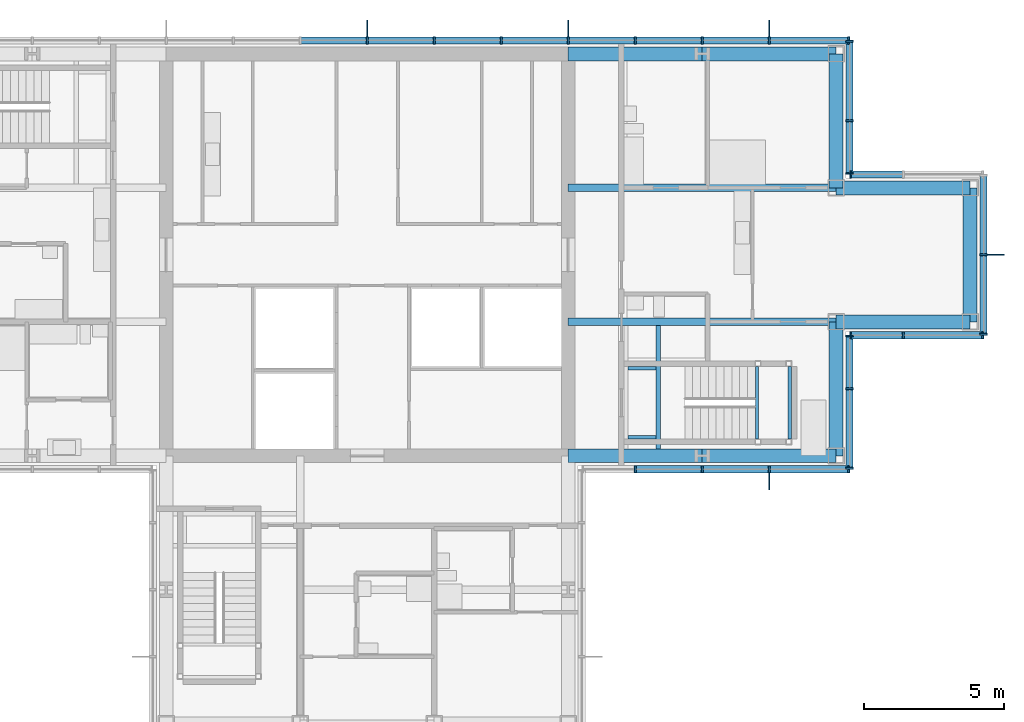
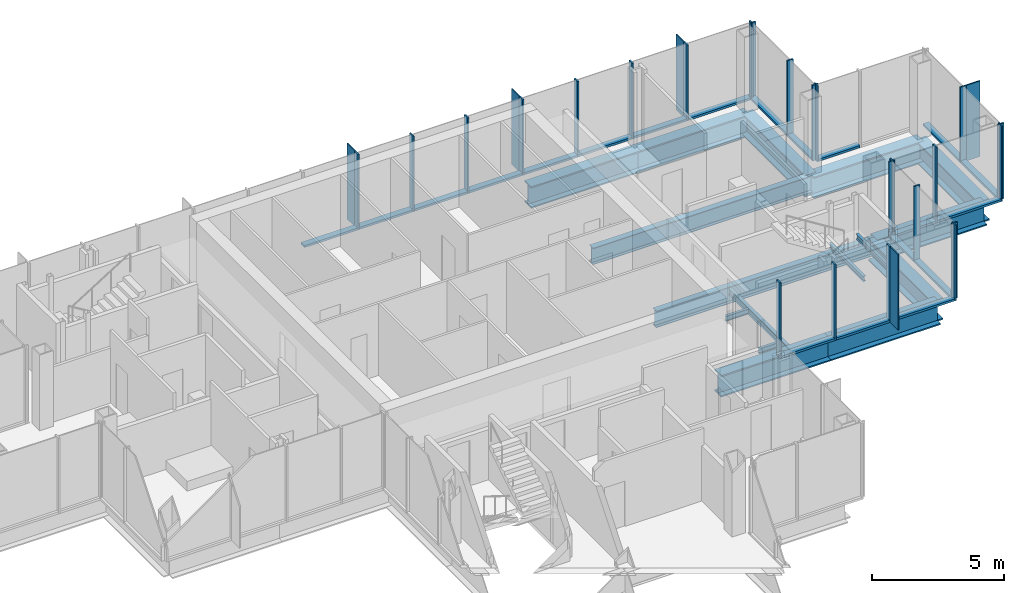
# One storey, part 7 of 15: 49 members, 16 beams, 7 elements without a shape of their own.
"""IFC4 building model written with IfcOpenShell, lengths in metres."""

import ifcopenshell
import ifcopenshell.guid

model = None  # the IFC model being written
_history = None  # IfcOwnerHistory: only IFC2X3 demands one
_inside = {}  # id of a spatial element -> (the spatial element, [elements in it])
_under = {}  # id of a project, library or spatial element -> (it, [spatial elements below it])
_declared = {}  # id of a project -> (the project, [libraries it declares])
_typed = {}  # id of a type object -> (the type object, [elements of that type])
_made_of = {}  # id of a material, layer set ... -> (it, [elements and type objects made of it])


def new_model(schema):
    """Start an empty IFC model of exactly this schema.

    Asked for "IFC4X3", IfcOpenShell would pick the latest addendum, in which some entities
    have other attributes; the version numbers below select the first issue.
    IFC2X3 requires an IfcOwnerHistory on every rooted entity: one is made here for all.
    """
    global model, _history
    if schema == "IFC4X3":
        model = ifcopenshell.file(schema_version=(4, 3, 0, 0))
    else:
        model = ifcopenshell.file(schema=schema)
    _inside.clear()
    _under.clear()
    _declared.clear()
    _typed.clear()
    _made_of.clear()
    _history = None
    if model.schema == "IFC2X3":
        org = make("IfcOrganization", Name="unknown")
        user = make(
            "IfcPersonAndOrganization",
            ThePerson=make("IfcPerson", FamilyName="unknown"),
            TheOrganization=org,
        )
        app = make(
            "IfcApplication",
            ApplicationDeveloper=org,
            Version="unknown",
            ApplicationFullName="unknown",
            ApplicationIdentifier="unknown",
        )
        _history = make(
            "IfcOwnerHistory",
            OwningUser=user,
            OwningApplication=app,
            ChangeAction="ADDED",
            CreationDate=0,
        )
    return model


def make(cls, **values):
    """One entity of the class cls with the attributes given. An attribute that is None is left unset."""
    return model.create_entity(
        cls, **{name: value for name, value in values.items() if value is not None}
    )


def rooted(cls, **values):
    """An entity with a GlobalId (a new one), such as an element, a storey or a relation."""
    return make(cls, GlobalId=ifcopenshell.guid.new(), OwnerHistory=_history, **values)


def si_unit(unit_type, name, prefix=None):
    """IfcSIUnit, for example si_unit("LENGTHUNIT", "METRE", prefix="MILLI")."""
    return make("IfcSIUnit", UnitType=unit_type, Prefix=prefix, Name=name)


def assignment(units):
    """IfcUnitAssignment: the units of a project."""
    return None if units is None else make("IfcUnitAssignment", Units=units)


def point(xyz):
    """IfcCartesianPoint."""
    return None if xyz is None else make("IfcCartesianPoint", Coordinates=xyz)


def direction(xyz):
    """IfcDirection."""
    return None if xyz is None else make("IfcDirection", DirectionRatios=xyz)


def frame(location, z_axis=None, x_axis=None):
    """IfcAxis2Placement3D, a coordinate frame: its origin and axes. An axis left out is left unset."""
    return make(
        "IfcAxis2Placement3D",
        Location=point(location),
        Axis=direction(z_axis),
        RefDirection=direction(x_axis),
    )


def frame_2d(location, x_axis=None):
    """IfcAxis2Placement2D, a coordinate frame in the plane: its origin and x axis."""
    return make(
        "IfcAxis2Placement2D", Location=point(location), RefDirection=direction(x_axis)
    )


def origin():
    """The frame at (0, 0, 0) with its axes left unset."""
    return frame((0.0, 0.0, 0.0))


def origin_2d():
    """The frame at (0, 0) in the plane with its x axis left unset."""
    return frame_2d((0.0, 0.0))


def place(relative_to, where):
    """IfcLocalPlacement: puts the frame where relative to a parent placement (None: the world)."""
    return make(
        "IfcLocalPlacement", PlacementRelTo=relative_to, RelativePlacement=where
    )


def context(
    kind, dimensions, precision=None, world=None, true_north=None, identifier=None
):
    """IfcGeometricRepresentationContext, for example the 3D "Model" context."""
    return make(
        "IfcGeometricRepresentationContext",
        ContextIdentifier=identifier,
        ContextType=kind,
        CoordinateSpaceDimension=dimensions,
        Precision=precision,
        WorldCoordinateSystem=world,
        TrueNorth=true_north,
    )


def subcontext(parent, identifier, kind, view, scale=None):
    """IfcGeometricRepresentationSubContext, for example "Body" below "Model"."""
    return make(
        "IfcGeometricRepresentationSubContext",
        ContextIdentifier=identifier,
        ContextType=kind,
        ParentContext=parent,
        TargetScale=scale,
        TargetView=view,
    )


def project(units=None, contexts=None):
    """IfcProject with its units and contexts."""
    return rooted(
        "IfcProject",
        Name="project",
        RepresentationContexts=contexts,
        UnitsInContext=assignment(units),
    )


def spatial(cls, under=None, at=None, **own):
    """A site, building, storey or space (cls), placed at a placement, below another one or the project."""
    s = rooted(cls, ObjectPlacement=at, **own)
    if under is not None:
        _under.setdefault(under.id(), (under, []))[1].append(s)
    return s


def profile(cls, at=None, kind="AREA", **sizes):
    """A parametric profile (cls). Its sizes go by their IFC names, for example OverallWidth=200.0."""
    return make(cls, ProfileType=kind, Position=at, **sizes)


def rectangle(**sizes):
    """IfcRectangleProfileDef."""
    return profile("IfcRectangleProfileDef", **sizes)


def i_section(**sizes):
    """IfcIShapeProfileDef."""
    return profile("IfcIShapeProfileDef", **sizes)


def extrude(swept, where, along, depth):
    """IfcExtrudedAreaSolid: the profile swept, set in the frame where, extruded along a direction by depth."""
    return make(
        "IfcExtrudedAreaSolid",
        SweptArea=swept,
        Position=where,
        ExtrudedDirection=direction(along),
        Depth=depth,
    )


def shape(context_of_items, identifier, shape_type, items):
    """IfcShapeRepresentation: the items that make up one representation, for example the "Body"."""
    return make(
        "IfcShapeRepresentation",
        ContextOfItems=context_of_items,
        RepresentationIdentifier=identifier,
        RepresentationType=shape_type,
        Items=items,
    )


def material(Name=None, Category=None):
    """IfcMaterial."""
    return make("IfcMaterial", Name=Name, Category=Category)


def material_profile(
    of_material, cross_section, Name=None, Category=None, Priority=None
):
    """IfcMaterialProfile: a cross section and its material."""
    return make(
        "IfcMaterialProfile",
        Name=Name,
        Material=of_material,
        Profile=cross_section,
        Priority=Priority,
        Category=Category,
    )


def profile_set(profiles, Name=None, composite=None):
    """IfcMaterialProfileSet."""
    return make(
        "IfcMaterialProfileSet",
        Name=Name,
        MaterialProfiles=profiles,
        CompositeProfile=composite,
    )


def made_of(thing, what):
    """Note that an element or type object is made of a material, layer set ...; save() writes the relation."""
    if what is not None:
        _made_of.setdefault(what.id(), (what, []))[1].append(thing)
    return thing


def type_object(cls, material=None, **own):
    """A type object (cls), such as IfcWallType, which elements share."""
    return made_of(rooted(cls, **own), material)


def element(
    cls,
    number,
    at=None,
    inside=None,
    cuts=None,
    type_object=None,
    material=None,
    context=None,
    identifier="Body",
    shape_type=None,
    held_by="IfcProductDefinitionShape",
    body=None,
    shapes=None,
    **own,
):
    """One element of the class cls, such as IfcWall. Its Tag is "e" and its number.

    at: its placement. inside: the storey or other place that contains it. cuts: it is an
    opening in that element (IfcRelVoidsElement). A single representation is given by context,
    identifier, shape_type and body (its items); several are given by shapes. held_by: the class
    of the entity that holds the representations. save() writes the other relations.
    """
    e = rooted(cls, Tag="e%d" % number, ObjectPlacement=at, **own)
    if body is not None:
        shapes = [shape(context, identifier, shape_type, body)]
    if shapes is not None:
        e.Representation = make(held_by, Representations=shapes)
    if inside is not None:
        _inside.setdefault(inside.id(), (inside, []))[1].append(e)
    if cuts is not None:
        rooted(
            "IfcRelVoidsElement", RelatingBuildingElement=cuts, RelatedOpeningElement=e
        )
    if type_object is not None:
        _typed.setdefault(type_object.id(), (type_object, []))[1].append(e)
    return made_of(e, material)


def aggregate(whole, parts):
    """IfcRelAggregates: a whole, such as a stair, and the parts it consists of."""
    return rooted("IfcRelAggregates", RelatingObject=whole, RelatedObjects=parts)


def save(model, path):
    """Write the relations noted so far, then the file.

    IfcRelAggregates (storeys below a building ...), IfcRelContainedInSpatialStructure (elements
    in a storey), IfcRelDefinesByType, IfcRelAssociatesMaterial and IfcRelDeclares: one each for
    every whole, place, type object, material and project.
    """
    for whole, parts in _under.values():
        aggregate(whole, parts)
    for where, things in _inside.values():
        rooted(
            "IfcRelContainedInSpatialStructure",
            RelatedElements=things,
            RelatingStructure=where,
        )
    for kind, things in _typed.values():
        rooted("IfcRelDefinesByType", RelatedObjects=things, RelatingType=kind)
    for what, things in _made_of.values():
        rooted("IfcRelAssociatesMaterial", RelatedObjects=things, RelatingMaterial=what)
    for by, libraries in _declared.values():
        rooted("IfcRelDeclares", RelatingContext=by, RelatedDefinitions=libraries)
    model.write(path)


model = new_model("IFC4")

# Units and contexts
model_context = context("Model", 3, precision=1e-05, world=origin(), true_north=direction((0.0, 1.0)))
body_context = subcontext(model_context, "Body", "Model", "MODEL_VIEW")
ifc_project = project(units=[si_unit("LENGTHUNIT", "METRE"), si_unit("AREAUNIT", "SQUARE_METRE"), si_unit("VOLUMEUNIT", "CUBIC_METRE"), si_unit("PLANEANGLEUNIT", "RADIAN"), si_unit("MASSUNIT", "GRAM", prefix="KILO")], contexts=[model_context])

# Site, building, storey
site_placement = place(None, origin())
site = spatial("IfcSite", under=ifc_project, at=site_placement, CompositionType="ELEMENT")
building_placement = place(site_placement, origin())
building = spatial("IfcBuilding", under=site, at=building_placement, Name="Kvirike Care Tower", CompositionType="ELEMENT")
storey_placement = place(building_placement, frame((0.0, 0.0, 208.5)))
storey = spatial("IfcBuildingStorey", under=building, at=storey_placement, Name="L57", CompositionType="ELEMENT", Elevation=208.5)

# Curtain wall, member
ifc_material_1 = material(Name="Anodised aluminium stick system", Category="aluminium")
curtain_wall_type = type_object("IfcCurtainWallType", Name="CW-D STICK CURTAIN WALL", PredefinedType="NOTDEFINED", material=ifc_material_1)
curtain_wall_1_placement = place(storey_placement, origin())
curtain_wall_1 = element("IfcCurtainWall", 1, at=curtain_wall_1_placement, inside=storey, type_object=curtain_wall_type, Name="Curtain wall L57 face 1", PredefinedType="NOTDEFINED")
ifc_material_2 = material(Name="Bronze anodised aluminium fin", Category="aluminium")
ifc_material_profile_1 = material_profile(ifc_material_2, rectangle(XDim=0.050048828125, YDim=0.60009765625, at=origin_2d()), Name="BRONZE FIN 600")
ifc_profile_set_1 = profile_set([ifc_material_profile_1], Name="Bronze anodised aluminium fin")
member_type_1 = type_object("IfcMemberType", Name="BRONZE FIN 600", PredefinedType="USERDEFINED", material=ifc_profile_set_1)
member_1_placement = place(storey_placement, frame((36.0, 27.889892578125, 0.0), z_axis=(0.0, 0.0, 1.0), x_axis=(1.0, 0.0, 0.0)))
member_1 = element("IfcMember", 2, at=member_1_placement, type_object=member_type_1, Name="Bronze fin L57 face 1.4", ObjectType="FIN", PredefinedType="USERDEFINED", context=body_context, shape_type="SweptSolid", body=[
    extrude(rectangle(XDim=0.050048828125, YDim=0.60009765625, at=origin_2d()), origin(), (0.0, 0.0, 1.0), 3.5),
])

curtain_wall_2_placement = place(storey_placement, origin())
curtain_wall_2 = element("IfcCurtainWall", 3, at=curtain_wall_2_placement, inside=storey, type_object=curtain_wall_type, Name="Curtain wall L57 face 4", PredefinedType="NOTDEFINED")
member_2_placement = place(storey_placement, frame((44.110107421875, 36.0, 0.0), z_axis=(0.0, 0.0, 1.0), x_axis=(0.0, 1.0, 0.0)))
member_2 = element("IfcMember", 4, at=member_2_placement, type_object=member_type_1, Name="Bronze fin L57 face 4.2", ObjectType="FIN", PredefinedType="USERDEFINED", context=body_context, shape_type="SweptSolid", body=[
    extrude(rectangle(XDim=0.050048828125, YDim=0.60009765625, at=origin_2d()), origin(), (0.0, 0.0, 1.0), 3.5),
])

# Curtain wall, members
curtain_wall_3_placement = place(storey_placement, origin())
curtain_wall_3 = element("IfcCurtainWall", 5, at=curtain_wall_3_placement, inside=storey, type_object=curtain_wall_type, Name="Curtain wall L57 face 7", PredefinedType="NOTDEFINED")
member_3_placement = place(storey_placement, frame((36.0, 44.110107421875, 0.0), z_axis=(0.0, 0.0, 1.0), x_axis=(-1.0, 0.0, 0.0)))
member_3 = element("IfcMember", 6, at=member_3_placement, type_object=member_type_1, Name="Bronze fin L57 face 7.2", ObjectType="FIN", PredefinedType="USERDEFINED", context=body_context, shape_type="SweptSolid", body=[
    extrude(rectangle(XDim=0.050048828125, YDim=0.60009765625, at=origin_2d()), origin(), (0.0, 0.0, 1.0), 3.5),
])
member_4_placement = place(storey_placement, frame((28.800048828125, 44.110107421875, 0.0), z_axis=(0.0, 0.0, 1.0), x_axis=(-1.0, 0.0, 0.0)))
member_4 = element("IfcMember", 7, at=member_4_placement, type_object=member_type_1, Name="Bronze fin L57 face 7.5", ObjectType="FIN", PredefinedType="USERDEFINED", context=body_context, shape_type="SweptSolid", body=[
    extrude(rectangle(XDim=0.050048828125, YDim=0.60009765625, at=origin_2d()), origin(), (0.0, 0.0, 1.0), 3.5),
])
member_5_placement = place(storey_placement, frame((21.60009765625, 44.110107421875, 0.0), z_axis=(0.0, 0.0, 1.0), x_axis=(-1.0, 0.0, 0.0)))
member_5 = element("IfcMember", 8, at=member_5_placement, type_object=member_type_1, Name="Bronze fin L57 face 7.8", ObjectType="FIN", PredefinedType="USERDEFINED", context=body_context, shape_type="SweptSolid", body=[
    extrude(rectangle(XDim=0.050048828125, YDim=0.60009765625, at=origin_2d()), origin(), (0.0, 0.0, 1.0), 3.5),
])

# Member
ifc_material_3 = material(Name="Bronze anodised aluminium mullion", Category="aluminium")
ifc_material_profile_2 = material_profile(ifc_material_3, rectangle(XDim=0.06494140625, YDim=0.260009765625, at=origin_2d()), Name="CW-D MULLION 65x260")
ifc_profile_set_2 = profile_set([ifc_material_profile_2], Name="Bronze anodised aluminium mullion")
member_type_2 = type_object("IfcMemberType", Name="CW-D MULLION 65x260", PredefinedType="MULLION", material=ifc_profile_set_2)
member_6_placement = place(storey_placement, frame((31.199951171875, 28.320068359375, 0.0), z_axis=(0.0, 0.0, 1.0), x_axis=(1.0, 0.0, 0.0)))
member_6 = element("IfcMember", 9, at=member_6_placement, type_object=member_type_2, Name="CW-D mullion L57 face 1.2", PredefinedType="MULLION", context=body_context, shape_type="SweptSolid", body=[
    extrude(rectangle(XDim=0.06494140625, YDim=0.260009765625, at=origin_2d()), origin(), (0.0, 0.0, 1.0), 3.5),
])

member_7_placement = place(storey_placement, frame((33.60009765625, 28.320068359375, 0.0), z_axis=(0.0, 0.0, 1.0), x_axis=(1.0, 0.0, 0.0)))
member_7 = element("IfcMember", 10, at=member_7_placement, type_object=member_type_2, Name="CW-D mullion L57 face 1.3", PredefinedType="MULLION", context=body_context, shape_type="SweptSolid", body=[
    extrude(rectangle(XDim=0.06494140625, YDim=0.260009765625, at=origin_2d()), origin(), (0.0, 0.0, 1.0), 3.5),
])

member_8_placement = place(storey_placement, frame((36.0, 28.320068359375, 0.0), z_axis=(0.0, 0.0, 1.0), x_axis=(1.0, 0.0, 0.0)))
member_8 = element("IfcMember", 11, at=member_8_placement, type_object=member_type_2, Name="CW-D mullion L57 face 1.4", PredefinedType="MULLION", context=body_context, shape_type="SweptSolid", body=[
    extrude(rectangle(XDim=0.06494140625, YDim=0.260009765625, at=origin_2d()), origin(), (0.0, 0.0, 1.0), 3.5),
])

member_9_placement = place(storey_placement, frame((38.847412109375, 28.320068359375, 0.0), z_axis=(0.0, 0.0, 1.0), x_axis=(1.0, 0.0, 0.0)))
member_9 = element("IfcMember", 12, at=member_9_placement, type_object=member_type_2, Name="CW-D mullion L57 face 1.5", PredefinedType="MULLION", context=body_context, shape_type="SweptSolid", body=[
    extrude(rectangle(XDim=0.06494140625, YDim=0.260009765625, at=origin_2d()), origin(), (0.0, 0.0, 1.0), 3.5),
])

# Curtain wall, members
curtain_wall_4_placement = place(storey_placement, origin())
curtain_wall_4 = element("IfcCurtainWall", 13, at=curtain_wall_4_placement, inside=storey, type_object=curtain_wall_type, Name="Curtain wall L57 face 2", PredefinedType="NOTDEFINED")
member_10_placement = place(storey_placement, frame((38.8798828125, 28.3525390625, 0.0), z_axis=(0.0, 0.0, 1.0), x_axis=(0.0, 1.0, 0.0)))
member_10 = element("IfcMember", 14, at=member_10_placement, type_object=member_type_2, Name="CW-D mullion L57 face 2.1", PredefinedType="MULLION", context=body_context, shape_type="SweptSolid", body=[
    extrude(rectangle(XDim=0.06494140625, YDim=0.260009765625, at=origin_2d()), origin(), (0.0, 0.0, 1.0), 3.5),
])
member_11_placement = place(storey_placement, frame((38.8798828125, 31.199951171875, 0.0), z_axis=(0.0, 0.0, 1.0), x_axis=(0.0, 1.0, 0.0)))
member_11 = element("IfcMember", 15, at=member_11_placement, type_object=member_type_2, Name="CW-D mullion L57 face 2.2", PredefinedType="MULLION", context=body_context, shape_type="SweptSolid", body=[
    extrude(rectangle(XDim=0.06494140625, YDim=0.260009765625, at=origin_2d()), origin(), (0.0, 0.0, 1.0), 3.5),
])
member_12_placement = place(storey_placement, frame((38.8798828125, 33.08740234375, 0.0), z_axis=(0.0, 0.0, 1.0), x_axis=(0.0, 1.0, 0.0)))
member_12 = element("IfcMember", 16, at=member_12_placement, type_object=member_type_2, Name="CW-D mullion L57 face 2.3", PredefinedType="MULLION", context=body_context, shape_type="SweptSolid", body=[
    extrude(rectangle(XDim=0.06494140625, YDim=0.260009765625, at=origin_2d()), origin(), (0.0, 0.0, 1.0), 3.5),
])

curtain_wall_5_placement = place(storey_placement, origin())
curtain_wall_5 = element("IfcCurtainWall", 17, at=curtain_wall_5_placement, inside=storey, type_object=curtain_wall_type, Name="Curtain wall L57 face 3", PredefinedType="NOTDEFINED")
member_13_placement = place(storey_placement, frame((38.91259765625, 33.1201171875, 0.0), z_axis=(0.0, 0.0, 1.0), x_axis=(1.0, 0.0, 0.0)))
member_13 = element("IfcMember", 18, at=member_13_placement, type_object=member_type_2, Name="CW-D mullion L57 face 3.1", PredefinedType="MULLION", context=body_context, shape_type="SweptSolid", body=[
    extrude(rectangle(XDim=0.06494140625, YDim=0.260009765625, at=origin_2d()), origin(), (0.0, 0.0, 1.0), 3.5),
])
member_14_placement = place(storey_placement, frame((40.800048828125, 33.1201171875, 0.0), z_axis=(0.0, 0.0, 1.0), x_axis=(1.0, 0.0, 0.0)))
member_14 = element("IfcMember", 19, at=member_14_placement, type_object=member_type_2, Name="CW-D mullion L57 face 3.2", PredefinedType="MULLION", context=body_context, shape_type="SweptSolid", body=[
    extrude(rectangle(XDim=0.06494140625, YDim=0.260009765625, at=origin_2d()), origin(), (0.0, 0.0, 1.0), 3.5),
])
member_15_placement = place(storey_placement, frame((43.6474609375, 33.1201171875, 0.0), z_axis=(0.0, 0.0, 1.0), x_axis=(1.0, 0.0, 0.0)))
member_15 = element("IfcMember", 20, at=member_15_placement, type_object=member_type_2, Name="CW-D mullion L57 face 3.3", PredefinedType="MULLION", context=body_context, shape_type="SweptSolid", body=[
    extrude(rectangle(XDim=0.06494140625, YDim=0.260009765625, at=origin_2d()), origin(), (0.0, 0.0, 1.0), 3.5),
])

# Member
member_16_placement = place(storey_placement, frame((43.679931640625, 33.152587890625, 0.0), z_axis=(0.0, 0.0, 1.0), x_axis=(0.0, 1.0, 0.0)))
member_16 = element("IfcMember", 21, at=member_16_placement, type_object=member_type_2, Name="CW-D mullion L57 face 4.1", PredefinedType="MULLION", context=body_context, shape_type="SweptSolid", body=[
    extrude(rectangle(XDim=0.06494140625, YDim=0.260009765625, at=origin_2d()), origin(), (0.0, 0.0, 1.0), 3.5),
])

member_17_placement = place(storey_placement, frame((43.679931640625, 36.0, 0.0), z_axis=(0.0, 0.0, 1.0), x_axis=(0.0, 1.0, 0.0)))
member_17 = element("IfcMember", 22, at=member_17_placement, type_object=member_type_2, Name="CW-D mullion L57 face 4.2", PredefinedType="MULLION", context=body_context, shape_type="SweptSolid", body=[
    extrude(rectangle(XDim=0.06494140625, YDim=0.260009765625, at=origin_2d()), origin(), (0.0, 0.0, 1.0), 3.5),
])

# Curtain wall, member
curtain_wall_6_placement = place(storey_placement, origin())
curtain_wall_6 = element("IfcCurtainWall", 23, at=curtain_wall_6_placement, inside=storey, type_object=curtain_wall_type, Name="Curtain wall L57 face 5", PredefinedType="NOTDEFINED")
member_18_placement = place(storey_placement, frame((38.91259765625, 38.8798828125, 0.0), z_axis=(0.0, 0.0, 1.0), x_axis=(-1.0, 0.0, 0.0)))
member_18 = element("IfcMember", 24, at=member_18_placement, type_object=member_type_2, Name="CW-D mullion L57 face 5.3", PredefinedType="MULLION", context=body_context, shape_type="SweptSolid", body=[
    extrude(rectangle(XDim=0.06494140625, YDim=0.260009765625, at=origin_2d()), origin(), (0.0, 0.0, 1.0), 3.5),
])

# Curtain wall, members
curtain_wall_7_placement = place(storey_placement, origin())
curtain_wall_7 = element("IfcCurtainWall", 25, at=curtain_wall_7_placement, inside=storey, type_object=curtain_wall_type, Name="Curtain wall L57 face 6", PredefinedType="NOTDEFINED")
member_19_placement = place(storey_placement, frame((38.8798828125, 38.91259765625, 0.0), z_axis=(0.0, 0.0, 1.0), x_axis=(0.0, 1.0, 0.0)))
member_19 = element("IfcMember", 26, at=member_19_placement, type_object=member_type_2, Name="CW-D mullion L57 face 6.1", PredefinedType="MULLION", context=body_context, shape_type="SweptSolid", body=[
    extrude(rectangle(XDim=0.06494140625, YDim=0.260009765625, at=origin_2d()), origin(), (0.0, 0.0, 1.0), 3.5),
])
member_20_placement = place(storey_placement, frame((38.8798828125, 40.800048828125, 0.0), z_axis=(0.0, 0.0, 1.0), x_axis=(0.0, 1.0, 0.0)))
member_20 = element("IfcMember", 27, at=member_20_placement, type_object=member_type_2, Name="CW-D mullion L57 face 6.2", PredefinedType="MULLION", context=body_context, shape_type="SweptSolid", body=[
    extrude(rectangle(XDim=0.06494140625, YDim=0.260009765625, at=origin_2d()), origin(), (0.0, 0.0, 1.0), 3.5),
])
member_21_placement = place(storey_placement, frame((38.8798828125, 43.6474609375, 0.0), z_axis=(0.0, 0.0, 1.0), x_axis=(0.0, 1.0, 0.0)))
member_21 = element("IfcMember", 28, at=member_21_placement, type_object=member_type_2, Name="CW-D mullion L57 face 6.3", PredefinedType="MULLION", context=body_context, shape_type="SweptSolid", body=[
    extrude(rectangle(XDim=0.06494140625, YDim=0.260009765625, at=origin_2d()), origin(), (0.0, 0.0, 1.0), 3.5),
])

# Member
member_22_placement = place(storey_placement, frame((38.847412109375, 43.679931640625, 0.0), z_axis=(0.0, 0.0, 1.0), x_axis=(-1.0, 0.0, 0.0)))
member_22 = element("IfcMember", 29, at=member_22_placement, type_object=member_type_2, Name="CW-D mullion L57 face 7.1", PredefinedType="MULLION", context=body_context, shape_type="SweptSolid", body=[
    extrude(rectangle(XDim=0.06494140625, YDim=0.260009765625, at=origin_2d()), origin(), (0.0, 0.0, 1.0), 3.5),
])

member_23_placement = place(storey_placement, frame((36.0, 43.679931640625, 0.0), z_axis=(0.0, 0.0, 1.0), x_axis=(-1.0, 0.0, 0.0)))
member_23 = element("IfcMember", 30, at=member_23_placement, type_object=member_type_2, Name="CW-D mullion L57 face 7.2", PredefinedType="MULLION", context=body_context, shape_type="SweptSolid", body=[
    extrude(rectangle(XDim=0.06494140625, YDim=0.260009765625, at=origin_2d()), origin(), (0.0, 0.0, 1.0), 3.5),
])

member_24_placement = place(storey_placement, frame((33.60009765625, 43.679931640625, 0.0), z_axis=(0.0, 0.0, 1.0), x_axis=(-1.0, 0.0, 0.0)))
member_24 = element("IfcMember", 31, at=member_24_placement, type_object=member_type_2, Name="CW-D mullion L57 face 7.3", PredefinedType="MULLION", context=body_context, shape_type="SweptSolid", body=[
    extrude(rectangle(XDim=0.06494140625, YDim=0.260009765625, at=origin_2d()), origin(), (0.0, 0.0, 1.0), 3.5),
])

member_25_placement = place(storey_placement, frame((31.199951171875, 43.679931640625, 0.0), z_axis=(0.0, 0.0, 1.0), x_axis=(-1.0, 0.0, 0.0)))
member_25 = element("IfcMember", 32, at=member_25_placement, type_object=member_type_2, Name="CW-D mullion L57 face 7.4", PredefinedType="MULLION", context=body_context, shape_type="SweptSolid", body=[
    extrude(rectangle(XDim=0.06494140625, YDim=0.260009765625, at=origin_2d()), origin(), (0.0, 0.0, 1.0), 3.5),
])

member_26_placement = place(storey_placement, frame((28.800048828125, 43.679931640625, 0.0), z_axis=(0.0, 0.0, 1.0), x_axis=(-1.0, 0.0, 0.0)))
member_26 = element("IfcMember", 33, at=member_26_placement, type_object=member_type_2, Name="CW-D mullion L57 face 7.5", PredefinedType="MULLION", context=body_context, shape_type="SweptSolid", body=[
    extrude(rectangle(XDim=0.06494140625, YDim=0.260009765625, at=origin_2d()), origin(), (0.0, 0.0, 1.0), 3.5),
])

member_27_placement = place(storey_placement, frame((26.39990234375, 43.679931640625, 0.0), z_axis=(0.0, 0.0, 1.0), x_axis=(-1.0, 0.0, 0.0)))
member_27 = element("IfcMember", 34, at=member_27_placement, type_object=member_type_2, Name="CW-D mullion L57 face 7.6", PredefinedType="MULLION", context=body_context, shape_type="SweptSolid", body=[
    extrude(rectangle(XDim=0.06494140625, YDim=0.260009765625, at=origin_2d()), origin(), (0.0, 0.0, 1.0), 3.5),
])

member_28_placement = place(storey_placement, frame((24.0, 43.679931640625, 0.0), z_axis=(0.0, 0.0, 1.0), x_axis=(-1.0, 0.0, 0.0)))
member_28 = element("IfcMember", 35, at=member_28_placement, type_object=member_type_2, Name="CW-D mullion L57 face 7.7", PredefinedType="MULLION", context=body_context, shape_type="SweptSolid", body=[
    extrude(rectangle(XDim=0.06494140625, YDim=0.260009765625, at=origin_2d()), origin(), (0.0, 0.0, 1.0), 3.5),
])

member_29_placement = place(storey_placement, frame((21.60009765625, 43.679931640625, 0.0), z_axis=(0.0, 0.0, 1.0), x_axis=(-1.0, 0.0, 0.0)))
member_29 = element("IfcMember", 36, at=member_29_placement, type_object=member_type_2, Name="CW-D mullion L57 face 7.8", PredefinedType="MULLION", context=body_context, shape_type="SweptSolid", body=[
    extrude(rectangle(XDim=0.06494140625, YDim=0.260009765625, at=origin_2d()), origin(), (0.0, 0.0, 1.0), 3.5),
])

ifc_material_4 = material(Name="Bronze anodised aluminium transom", Category="aluminium")
ifc_material_profile_3 = material_profile(ifc_material_4, rectangle(XDim=0.260009765625, YDim=0.10009765625, at=origin_2d()), Name="CW-D TRANSOM 260x100")
ifc_profile_set_3 = profile_set([ifc_material_profile_3], Name="Bronze anodised aluminium transom")
member_type_3 = type_object("IfcMemberType", Name="CW-D TRANSOM 260x100", PredefinedType="USERDEFINED", material=ifc_profile_set_3)
member_30_placement = place(storey_placement, frame((31.232421875, 28.320068359375, 0.050048828125), z_axis=(1.0, 0.0, 0.0), x_axis=(0.0, 1.0, 0.0)))
member_30 = element("IfcMember", 37, at=member_30_placement, type_object=member_type_3, Name="CW-D sill transom L57 face 1.2", ObjectType="TRANSOM", PredefinedType="USERDEFINED", context=body_context, shape_type="SweptSolid", body=[
    extrude(rectangle(XDim=0.260009765625, YDim=0.10009765625, at=origin_2d()), origin(), (0.0, 0.0, 1.0), 2.3349609375),
])

member_31_placement = place(storey_placement, frame((33.632568359375, 28.320068359375, 0.050048828125), z_axis=(1.0, 0.0, 0.0), x_axis=(0.0, 1.0, 0.0)))
member_31 = element("IfcMember", 38, at=member_31_placement, type_object=member_type_3, Name="CW-D sill transom L57 face 1.3", ObjectType="TRANSOM", PredefinedType="USERDEFINED", context=body_context, shape_type="SweptSolid", body=[
    extrude(rectangle(XDim=0.260009765625, YDim=0.10009765625, at=origin_2d()), origin(), (0.0, 0.0, 1.0), 2.3349609375),
])

member_32_placement = place(storey_placement, frame((36.032470703125, 28.320068359375, 0.050048828125), z_axis=(1.0, 0.0, 0.0), x_axis=(0.0, 1.0, 0.0)))
member_32 = element("IfcMember", 39, at=member_32_placement, type_object=member_type_3, Name="CW-D sill transom L57 face 1.4", ObjectType="TRANSOM", PredefinedType="USERDEFINED", context=body_context, shape_type="SweptSolid", body=[
    extrude(rectangle(XDim=0.260009765625, YDim=0.10009765625, at=origin_2d()), origin(), (0.0, 0.0, 1.0), 2.782470703125),
])

aggregate(curtain_wall_1, [member_6, member_7, member_8, member_1, member_9, member_30, member_31, member_32])

member_33_placement = place(storey_placement, frame((38.8798828125, 28.385009765625, 0.050048828125), z_axis=(0.0, 1.0, 0.0), x_axis=(-1.0, 0.0, 0.0)))
member_33 = element("IfcMember", 40, at=member_33_placement, type_object=member_type_3, Name="CW-D sill transom L57 face 2.1", ObjectType="TRANSOM", PredefinedType="USERDEFINED", context=body_context, shape_type="SweptSolid", body=[
    extrude(rectangle(XDim=0.260009765625, YDim=0.10009765625, at=origin_2d()), origin(), (0.0, 0.0, 1.0), 2.782470703125),
])

member_34_placement = place(storey_placement, frame((38.8798828125, 31.232421875, 0.050048828125), z_axis=(0.0, 1.0, 0.0), x_axis=(-1.0, 0.0, 0.0)))
member_34 = element("IfcMember", 41, at=member_34_placement, type_object=member_type_3, Name="CW-D sill transom L57 face 2.2", ObjectType="TRANSOM", PredefinedType="USERDEFINED", context=body_context, shape_type="SweptSolid", body=[
    extrude(rectangle(XDim=0.260009765625, YDim=0.10009765625, at=origin_2d()), origin(), (0.0, 0.0, 1.0), 1.822509765625),
])

aggregate(curtain_wall_4, [member_10, member_11, member_12, member_33, member_34])

member_35_placement = place(storey_placement, frame((38.945068359375, 33.1201171875, 0.050048828125), z_axis=(1.0, 0.0, 0.0), x_axis=(0.0, 1.0, 0.0)))
member_35 = element("IfcMember", 42, at=member_35_placement, type_object=member_type_3, Name="CW-D sill transom L57 face 3.1", ObjectType="TRANSOM", PredefinedType="USERDEFINED", context=body_context, shape_type="SweptSolid", body=[
    extrude(rectangle(XDim=0.260009765625, YDim=0.10009765625, at=origin_2d()), origin(), (0.0, 0.0, 1.0), 1.822509765625),
])

member_36_placement = place(storey_placement, frame((40.83251953125, 33.1201171875, 0.050048828125), z_axis=(1.0, 0.0, 0.0), x_axis=(0.0, 1.0, 0.0)))
member_36 = element("IfcMember", 43, at=member_36_placement, type_object=member_type_3, Name="CW-D sill transom L57 face 3.2", ObjectType="TRANSOM", PredefinedType="USERDEFINED", context=body_context, shape_type="SweptSolid", body=[
    extrude(rectangle(XDim=0.260009765625, YDim=0.10009765625, at=origin_2d()), origin(), (0.0, 0.0, 1.0), 2.782470703125),
])

aggregate(curtain_wall_5, [member_13, member_14, member_15, member_35, member_36])

member_37_placement = place(storey_placement, frame((43.679931640625, 33.18505859375, 0.050048828125), z_axis=(0.0, 1.0, 0.0), x_axis=(-1.0, 0.0, 0.0)))
member_37 = element("IfcMember", 44, at=member_37_placement, type_object=member_type_3, Name="CW-D sill transom L57 face 4.1", ObjectType="TRANSOM", PredefinedType="USERDEFINED", context=body_context, shape_type="SweptSolid", body=[
    extrude(rectangle(XDim=0.260009765625, YDim=0.10009765625, at=origin_2d()), origin(), (0.0, 0.0, 1.0), 2.782470703125),
])

member_38_placement = place(storey_placement, frame((43.679931640625, 36.032470703125, 0.050048828125), z_axis=(0.0, 1.0, 0.0), x_axis=(-1.0, 0.0, 0.0)))
member_38 = element("IfcMember", 45, at=member_38_placement, type_object=member_type_3, Name="CW-D sill transom L57 face 4.2", ObjectType="TRANSOM", PredefinedType="USERDEFINED", context=body_context, shape_type="SweptSolid", body=[
    extrude(rectangle(XDim=0.260009765625, YDim=0.10009765625, at=origin_2d()), origin(), (0.0, 0.0, 1.0), 2.782470703125),
])

aggregate(curtain_wall_2, [member_16, member_17, member_2, member_37, member_38])

member_39_placement = place(storey_placement, frame((40.767578125, 38.8798828125, 0.050048828125), z_axis=(-1.0, 0.0, 0.0), x_axis=(0.0, -1.0, 0.0)))
member_39 = element("IfcMember", 46, at=member_39_placement, type_object=member_type_3, Name="CW-D sill transom L57 face 5.2", ObjectType="TRANSOM", PredefinedType="USERDEFINED", context=body_context, shape_type="SweptSolid", body=[
    extrude(rectangle(XDim=0.260009765625, YDim=0.10009765625, at=origin_2d()), origin(), (0.0, 0.0, 1.0), 1.822509765625),
])

aggregate(curtain_wall_6, [member_18, member_39])

member_40_placement = place(storey_placement, frame((38.8798828125, 38.945068359375, 0.050048828125), z_axis=(0.0, 1.0, 0.0), x_axis=(-1.0, 0.0, 0.0)))
member_40 = element("IfcMember", 47, at=member_40_placement, type_object=member_type_3, Name="CW-D sill transom L57 face 6.1", ObjectType="TRANSOM", PredefinedType="USERDEFINED", context=body_context, shape_type="SweptSolid", body=[
    extrude(rectangle(XDim=0.260009765625, YDim=0.10009765625, at=origin_2d()), origin(), (0.0, 0.0, 1.0), 1.822509765625),
])

member_41_placement = place(storey_placement, frame((38.8798828125, 40.83251953125, 0.050048828125), z_axis=(0.0, 1.0, 0.0), x_axis=(-1.0, 0.0, 0.0)))
member_41 = element("IfcMember", 48, at=member_41_placement, type_object=member_type_3, Name="CW-D sill transom L57 face 6.2", ObjectType="TRANSOM", PredefinedType="USERDEFINED", context=body_context, shape_type="SweptSolid", body=[
    extrude(rectangle(XDim=0.260009765625, YDim=0.10009765625, at=origin_2d()), origin(), (0.0, 0.0, 1.0), 2.782470703125),
])

aggregate(curtain_wall_7, [member_19, member_20, member_21, member_40, member_41])

member_42_placement = place(storey_placement, frame((38.81494140625, 43.679931640625, 0.050048828125), z_axis=(-1.0, 0.0, 0.0), x_axis=(0.0, -1.0, 0.0)))
member_42 = element("IfcMember", 49, at=member_42_placement, type_object=member_type_3, Name="CW-D sill transom L57 face 7.1", ObjectType="TRANSOM", PredefinedType="USERDEFINED", context=body_context, shape_type="SweptSolid", body=[
    extrude(rectangle(XDim=0.260009765625, YDim=0.10009765625, at=origin_2d()), origin(), (0.0, 0.0, 1.0), 2.782470703125),
])

member_43_placement = place(storey_placement, frame((35.967529296875, 43.679931640625, 0.050048828125), z_axis=(-1.0, 0.0, 0.0), x_axis=(0.0, -1.0, 0.0)))
member_43 = element("IfcMember", 50, at=member_43_placement, type_object=member_type_3, Name="CW-D sill transom L57 face 7.2", ObjectType="TRANSOM", PredefinedType="USERDEFINED", context=body_context, shape_type="SweptSolid", body=[
    extrude(rectangle(XDim=0.260009765625, YDim=0.10009765625, at=origin_2d()), origin(), (0.0, 0.0, 1.0), 2.3349609375),
])

member_44_placement = place(storey_placement, frame((33.5673828125, 43.679931640625, 0.050048828125), z_axis=(-1.0, 0.0, 0.0), x_axis=(0.0, -1.0, 0.0)))
member_44 = element("IfcMember", 51, at=member_44_placement, type_object=member_type_3, Name="CW-D sill transom L57 face 7.3", ObjectType="TRANSOM", PredefinedType="USERDEFINED", context=body_context, shape_type="SweptSolid", body=[
    extrude(rectangle(XDim=0.260009765625, YDim=0.10009765625, at=origin_2d()), origin(), (0.0, 0.0, 1.0), 2.3349609375),
])

member_45_placement = place(storey_placement, frame((31.16748046875, 43.679931640625, 0.050048828125), z_axis=(-1.0, 0.0, 0.0), x_axis=(0.0, -1.0, 0.0)))
member_45 = element("IfcMember", 52, at=member_45_placement, type_object=member_type_3, Name="CW-D sill transom L57 face 7.4", ObjectType="TRANSOM", PredefinedType="USERDEFINED", context=body_context, shape_type="SweptSolid", body=[
    extrude(rectangle(XDim=0.260009765625, YDim=0.10009765625, at=origin_2d()), origin(), (0.0, 0.0, 1.0), 2.3349609375),
])

member_46_placement = place(storey_placement, frame((28.767578125, 43.679931640625, 0.050048828125), z_axis=(-1.0, 0.0, 0.0), x_axis=(0.0, -1.0, 0.0)))
member_46 = element("IfcMember", 53, at=member_46_placement, type_object=member_type_3, Name="CW-D sill transom L57 face 7.5", ObjectType="TRANSOM", PredefinedType="USERDEFINED", context=body_context, shape_type="SweptSolid", body=[
    extrude(rectangle(XDim=0.260009765625, YDim=0.10009765625, at=origin_2d()), origin(), (0.0, 0.0, 1.0), 2.3349609375),
])

member_47_placement = place(storey_placement, frame((26.367431640625, 43.679931640625, 0.050048828125), z_axis=(-1.0, 0.0, 0.0), x_axis=(0.0, -1.0, 0.0)))
member_47 = element("IfcMember", 54, at=member_47_placement, type_object=member_type_3, Name="CW-D sill transom L57 face 7.6", ObjectType="TRANSOM", PredefinedType="USERDEFINED", context=body_context, shape_type="SweptSolid", body=[
    extrude(rectangle(XDim=0.260009765625, YDim=0.10009765625, at=origin_2d()), origin(), (0.0, 0.0, 1.0), 2.3349609375),
])

member_48_placement = place(storey_placement, frame((23.967529296875, 43.679931640625, 0.050048828125), z_axis=(-1.0, 0.0, 0.0), x_axis=(0.0, -1.0, 0.0)))
member_48 = element("IfcMember", 55, at=member_48_placement, type_object=member_type_3, Name="CW-D sill transom L57 face 7.7", ObjectType="TRANSOM", PredefinedType="USERDEFINED", context=body_context, shape_type="SweptSolid", body=[
    extrude(rectangle(XDim=0.260009765625, YDim=0.10009765625, at=origin_2d()), origin(), (0.0, 0.0, 1.0), 2.3349609375),
])

member_49_placement = place(storey_placement, frame((21.5673828125, 43.679931640625, 0.050048828125), z_axis=(-1.0, 0.0, 0.0), x_axis=(0.0, -1.0, 0.0)))
member_49 = element("IfcMember", 56, at=member_49_placement, type_object=member_type_3, Name="CW-D sill transom L57 face 7.8", ObjectType="TRANSOM", PredefinedType="USERDEFINED", context=body_context, shape_type="SweptSolid", body=[
    extrude(rectangle(XDim=0.260009765625, YDim=0.10009765625, at=origin_2d()), origin(), (0.0, 0.0, 1.0), 2.3349609375),
])

aggregate(curtain_wall_3, [member_22, member_23, member_3, member_24, member_25, member_26, member_4, member_27, member_28, member_29, member_5, member_42, member_43, member_44, member_45, member_46, member_47, member_48, member_49])

# Beams
ifc_material_5 = material(Name="Steel S355", Category="steel")
ifc_material_profile_4 = material_profile(ifc_material_5, i_section(OverallWidth=0.26806640625, OverallDepth=0.77001953125, WebThickness=0.015625, FlangeThickness=0.025390625, FilletRadius=0.01708984375, at=origin_2d()), Name="IPE 750x196")
ifc_profile_set_4 = profile_set([ifc_material_profile_4], Name="Steel S355")
beam_type_1 = type_object("IfcBeamType", Name="FLOOR BEAM IPE 750x196", PredefinedType="BEAM", material=ifc_profile_set_4)
for number, where, z_axis, x_axis, name in (
    (57, (28.800048828125, 33.60009765625, -0.554931640625), (1.0, 0.0, 0.0), (0.0, 1.0, 0.0), "Floor Beam H9-H11 L57"),
    (58, (28.800048828125, 38.39990234375, -0.554931640625), (1.0, 0.0, 0.0), (0.0, 1.0, 0.0), "Floor Beam J9-J11 L57"),
):
    element("IfcBeam", number, at=place(storey_placement, frame(where, z_axis=z_axis, x_axis=x_axis)), inside=storey, type_object=beam_type_1, Name=name, PredefinedType="BEAM", context=body_context, shape_type="SweptSolid", body=[
        extrude(i_section(OverallWidth=0.26806640625, OverallDepth=0.77001953125, WebThickness=0.015625, FlangeThickness=0.025390625, FilletRadius=0.01708984375, at=origin_2d()), origin(), (0.0, 0.0, 1.0), 9.599853515625),
    ])
ifc_material_6 = material(Name="Steel S355", Category="steel")
ifc_material_profile_5 = material_profile(ifc_material_6, i_section(OverallWidth=0.5, OverallDepth=1.0, WebThickness=0.030029296875, FlangeThickness=0.06005859375, at=origin_2d()), Name="PG 1000x500x30x60")
ifc_profile_set_5 = profile_set([ifc_material_profile_5], Name="Steel S355")
beam_type_2 = type_object("IfcBeamType", Name="SPANDREL PG 1000x500x30x60", PredefinedType="SPANDREL", material=ifc_profile_set_5)
beam_1_placement = place(storey_placement, frame((28.800048828125, 28.800048828125, -0.669921875), z_axis=(1.0, 0.0, 0.0), x_axis=(0.0, 1.0, 0.0)))
element("IfcBeam", 59, at=beam_1_placement, inside=storey, type_object=beam_type_2, Name="Spandrel G9-G10 L57", PredefinedType="SPANDREL", context=body_context, shape_type="SweptSolid", body=[
    extrude(i_section(OverallWidth=0.5, OverallDepth=1.0, WebThickness=0.030029296875, FlangeThickness=0.06005859375, at=origin_2d()), origin(), (0.0, 0.0, 1.0), 4.800048828125),
])
beam_2_placement = place(storey_placement, frame((33.60009765625, 28.800048828125, -0.669921875), z_axis=(1.0, 0.0, 0.0), x_axis=(0.0, 1.0, 0.0)))
element("IfcBeam", 60, at=beam_2_placement, inside=storey, type_object=beam_type_2, Name="Spandrel G10-G11 L57", PredefinedType="SPANDREL", context=body_context, shape_type="SweptSolid", body=[
    extrude(i_section(OverallWidth=0.5, OverallDepth=1.0, WebThickness=0.030029296875, FlangeThickness=0.06005859375, at=origin_2d()), origin(), (0.0, 0.0, 1.0), 4.7998046875),
])
for number, where, z_axis, x_axis, name in (
    (61, (38.39990234375, 33.60009765625, -0.669921875), (1.0, 0.0, 0.0), (0.0, 1.0, 0.0), "Spandrel H11-H12 L57"),
    (62, (38.39990234375, 38.39990234375, -0.669921875), (1.0, 0.0, 0.0), (0.0, 1.0, 0.0), "Spandrel J11-J12 L57"),
    (63, (28.800048828125, 43.199951171875, -0.669921875), (1.0, 0.0, 0.0), (0.0, 1.0, 0.0), "Spandrel K9-K10 L57"),
):
    element("IfcBeam", number, at=place(storey_placement, frame(where, z_axis=z_axis, x_axis=x_axis)), inside=storey, type_object=beam_type_2, Name=name, PredefinedType="SPANDREL", context=body_context, shape_type="SweptSolid", body=[
        extrude(i_section(OverallWidth=0.5, OverallDepth=1.0, WebThickness=0.030029296875, FlangeThickness=0.06005859375, at=origin_2d()), origin(), (0.0, 0.0, 1.0), 4.800048828125),
    ])
beam_3_placement = place(storey_placement, frame((33.60009765625, 43.199951171875, -0.669921875), z_axis=(1.0, 0.0, 0.0), x_axis=(0.0, 1.0, 0.0)))
element("IfcBeam", 64, at=beam_3_placement, inside=storey, type_object=beam_type_2, Name="Spandrel K10-K11 L57", PredefinedType="SPANDREL", context=body_context, shape_type="SweptSolid", body=[
    extrude(i_section(OverallWidth=0.5, OverallDepth=1.0, WebThickness=0.030029296875, FlangeThickness=0.06005859375, at=origin_2d()), origin(), (0.0, 0.0, 1.0), 4.7998046875),
])
for number, where, z_axis, x_axis, name in (
    (65, (38.39990234375, 28.800048828125, -0.669921875), (0.0, 1.0, 0.0), (-1.0, 0.0, 0.0), "Spandrel G11-H11 L57"),
    (66, (38.39990234375, 38.39990234375, -0.669921875), (0.0, 1.0, 0.0), (-1.0, 0.0, 0.0), "Spandrel J11-K11 L57"),
):
    element("IfcBeam", number, at=place(storey_placement, frame(where, z_axis=z_axis, x_axis=x_axis)), inside=storey, type_object=beam_type_2, Name=name, PredefinedType="SPANDREL", context=body_context, shape_type="SweptSolid", body=[
        extrude(i_section(OverallWidth=0.5, OverallDepth=1.0, WebThickness=0.030029296875, FlangeThickness=0.06005859375, at=origin_2d()), origin(), (0.0, 0.0, 1.0), 4.800048828125),
    ])
beam_4_placement = place(storey_placement, frame((43.199951171875, 33.60009765625, -0.669921875), z_axis=(0.0, 1.0, 0.0), x_axis=(-1.0, 0.0, 0.0)))
element("IfcBeam", 67, at=beam_4_placement, inside=storey, type_object=beam_type_2, Name="Spandrel H12-J12 L57", PredefinedType="SPANDREL", context=body_context, shape_type="SweptSolid", body=[
    extrude(i_section(OverallWidth=0.5, OverallDepth=1.0, WebThickness=0.030029296875, FlangeThickness=0.06005859375, at=origin_2d()), origin(), (0.0, 0.0, 1.0), 4.7998046875),
])
ifc_material_7 = material(Name="Steel S355", Category="steel")
ifc_material_profile_6 = material_profile(ifc_material_7, i_section(OverallWidth=0.1201171875, OverallDepth=0.239990234375, WebThickness=0.006103515625, FlangeThickness=0.009765625, FilletRadius=0.014892578125, at=origin_2d()), Name="IPE 240")
ifc_profile_set_6 = profile_set([ifc_material_profile_6], Name="Steel S355")
beam_type_3 = type_object("IfcBeamType", Name="STAIR LANDING BEAM IPE 240", PredefinedType="BEAM", material=ifc_profile_set_6)
for number, where, z_axis, x_axis, name in (
    (68, (36.739990234375, 29.39990234375, 1.429931640625), (0.0, 1.0, 0.0), (-1.0, 0.0, 0.0), "Stair 2 landing beam back L57"),
    (69, (35.56005859375, 29.39990234375, 1.429931640625), (0.0, 1.0, 0.0), (-1.0, 0.0, 0.0), "Stair 2 landing beam front L57"),
):
    element("IfcBeam", number, at=place(storey_placement, frame(where, z_axis=z_axis, x_axis=x_axis)), inside=storey, type_object=beam_type_3, Name=name, PredefinedType="BEAM", context=body_context, shape_type="SweptSolid", body=[
        extrude(i_section(OverallWidth=0.1201171875, OverallDepth=0.239990234375, WebThickness=0.006103515625, FlangeThickness=0.009765625, FilletRadius=0.014892578125, at=origin_2d()), origin(), (0.0, 0.0, 1.0), 2.60009765625),
    ])
for number, where, z_axis, x_axis, name in (
    (70, (31.949951171875, 29.4599609375, -0.320068359375), (-1.0, 0.0, 0.0), (0.0, -1.0, 0.0), "Stair 2 landing edge beam 1 L57"),
    (71, (31.949951171875, 31.93994140625, -0.320068359375), (-1.0, 0.0, 0.0), (0.0, -1.0, 0.0), "Stair 2 landing edge beam 2 L57"),
):
    element("IfcBeam", number, at=place(storey_placement, frame(where, z_axis=z_axis, x_axis=x_axis)), inside=storey, type_object=beam_type_3, Name=name, PredefinedType="BEAM", context=body_context, shape_type="SweptSolid", body=[
        extrude(i_section(OverallWidth=0.1201171875, OverallDepth=0.239990234375, WebThickness=0.006103515625, FlangeThickness=0.009765625, FilletRadius=0.014892578125, at=origin_2d()), origin(), (0.0, 0.0, 1.0), 1.0),
    ])
ifc_material_8 = material(Name="Steel S355", Category="steel")
ifc_material_profile_7 = material_profile(ifc_material_8, i_section(OverallWidth=0.14990234375, OverallDepth=0.300048828125, WebThickness=0.007080078125, FlangeThickness=0.0107421875, FilletRadius=0.014892578125, at=origin_2d()), Name="IPE 300")
ifc_profile_set_7 = profile_set([ifc_material_profile_7], Name="Steel S355")
beam_type_4 = type_object("IfcBeamType", Name="STAIR TRIMMER IPE 300", PredefinedType="BEAM", material=ifc_profile_set_7)
beam_5_placement = place(storey_placement, frame((32.02490234375, 29.050048828125, -0.35009765625), z_axis=(0.0, 1.0, 0.0), x_axis=(-1.0, 0.0, 0.0)))
element("IfcBeam", 72, at=beam_5_placement, inside=storey, type_object=beam_type_4, Name="Stair 2 trimmer 1 L57", PredefinedType="BEAM", context=body_context, shape_type="SweptSolid", body=[
    extrude(i_section(OverallWidth=0.14990234375, OverallDepth=0.300048828125, WebThickness=0.007080078125, FlangeThickness=0.0107421875, FilletRadius=0.014892578125, at=origin_2d()), origin(), (0.0, 0.0, 1.0), 4.416015625),
])

save(model, "model.ifc")
